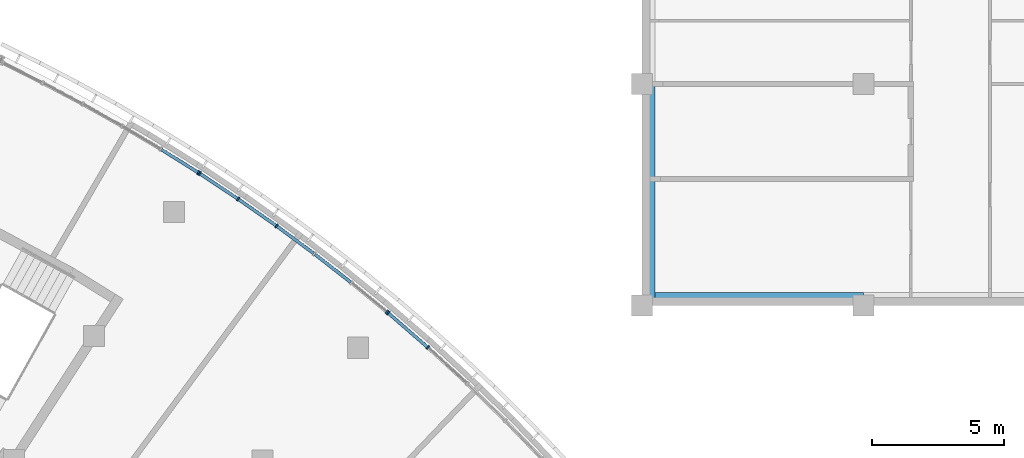
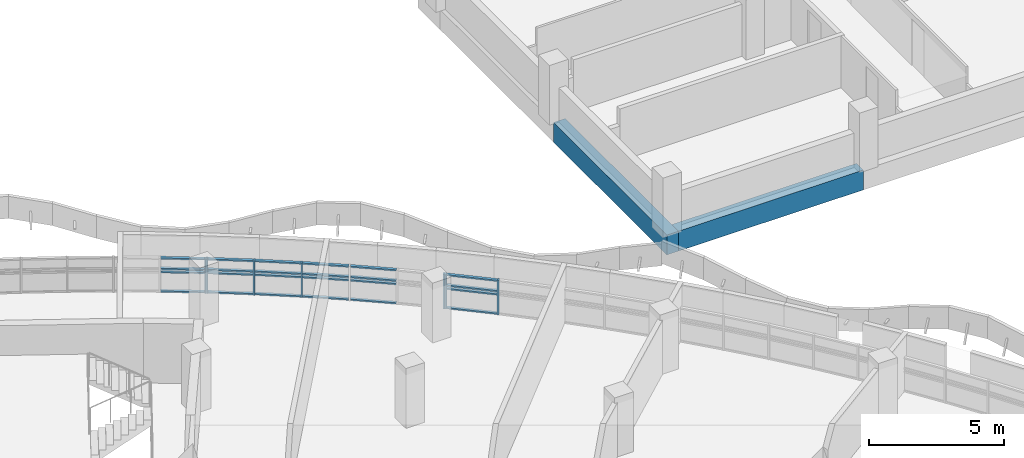
# One storey, part 23 of 89: 31 members, 2 beams, 3 elements without a shape of their own.
"""IFC4 building model written with IfcOpenShell, lengths in metres."""

from ifc_helpers import new_model, si_unit, direction, frame, origin, origin_2d, place, context, subcontext, project, spatial, rectangle, extrude, material, material_profile, profile_set, type_object, element, aggregate, save


model = new_model("IFC4")

# Units and contexts
model_context = context("Model", 3, precision=1e-05, world=origin(), true_north=direction((0.0, 1.0)))
body_context = subcontext(model_context, "Body", "Model", "MODEL_VIEW")
ifc_project = project(units=[si_unit("LENGTHUNIT", "METRE"), si_unit("AREAUNIT", "SQUARE_METRE"), si_unit("VOLUMEUNIT", "CUBIC_METRE"), si_unit("PLANEANGLEUNIT", "RADIAN"), si_unit("MASSUNIT", "GRAM", prefix="KILO")], contexts=[model_context])

# Site, building, storey
site_placement = place(None, origin())
site = spatial("IfcSite", under=ifc_project, at=site_placement, CompositionType="ELEMENT")
building_placement = place(site_placement, origin())
building = spatial("IfcBuilding", under=site, at=building_placement, Name="Bougainvillea Quay General Hospital", CompositionType="ELEMENT")
storey_placement = place(building_placement, frame((0.0, 0.0, 9.89990234375)))
storey = spatial("IfcBuildingStorey", under=building, at=storey_placement, Name="L01M", CompositionType="ELEMENT", Elevation=9.89990234375)

# Curtain wall, member
ifc_material_1 = material(Name="Aluminium curtain wall system, powder-coated glazed", Category="aluminium")
curtain_wall_type = type_object("IfcCurtainWallType", Name="Unitised curtain wall CW-2100", PredefinedType="NOTDEFINED", material=ifc_material_1)
curtain_wall_1_placement = place(storey_placement, origin())
curtain_wall_1 = element("IfcCurtainWall", 1, at=curtain_wall_1_placement, inside=storey, type_object=curtain_wall_type, Name="CW-E01 a10b0", PredefinedType="NOTDEFINED")
ifc_material_2 = material(Name="Aluminium mullion, powder-coated charcoal", Category="aluminium")
ifc_material_profile_1 = material_profile(ifc_material_2, rectangle(XDim=0.159912109375, YDim=0.06005859375, at=origin_2d()))
ifc_profile_set_1 = profile_set([ifc_material_profile_1], Name="Aluminium mullion, powder-coated charcoal")
member_type_1 = type_object("IfcMemberType", Name="Curtain wall mullion 160x60", PredefinedType="MULLION", material=ifc_profile_set_1)
member_1_placement = place(storey_placement, frame((146.97119140625, 80.6376953125, 0.0), z_axis=(0.0, 0.0, 1.0), x_axis=(0.531526385817, 0.847041735206, 0.0)))
member_1 = element("IfcMember", 2, at=member_1_placement, type_object=member_type_1, Name="CW-E01 mullion 6", PredefinedType="MULLION", context=body_context, shape_type="SweptSolid", body=[
    extrude(rectangle(XDim=0.159912109375, YDim=0.06005859375, at=origin_2d()), origin(), (0.0, 0.0, 1.0), 1.550048828125),
])

# Curtain wall, members
curtain_wall_2_placement = place(storey_placement, origin())
curtain_wall_2 = element("IfcCurtainWall", 3, at=curtain_wall_2_placement, inside=storey, type_object=curtain_wall_type, Name="CW-E02 a10b1", PredefinedType="NOTDEFINED")
member_2_placement = place(storey_placement, frame((147.021484375, 80.605224609375, 0.0), z_axis=(0.0, 0.0, 1.0), x_axis=(0.552565563465, 0.833469434396, 0.0)))
member_2 = element("IfcMember", 4, at=member_2_placement, type_object=member_type_1, Name="CW-E02 mullion 1", PredefinedType="MULLION", context=body_context, shape_type="SweptSolid", body=[
    extrude(rectangle(XDim=0.159912109375, YDim=0.06005859375, at=origin_2d()), origin(), (0.0, 0.0, 1.0), 1.550048828125),
])
member_3_placement = place(storey_placement, frame((148.48046875, 79.63818359375, 0.0), z_axis=(0.0, 0.0, 1.0), x_axis=(0.56315688844, 0.826349997884, 0.0)))
member_3 = element("IfcMember", 5, at=member_3_placement, type_object=member_type_1, Name="CW-E02 mullion 2", PredefinedType="MULLION", context=body_context, shape_type="SweptSolid", body=[
    extrude(rectangle(XDim=0.159912109375, YDim=0.06005859375, at=origin_2d()), origin(), (0.0, 0.0, 1.0), 1.550048828125),
])
member_4_placement = place(storey_placement, frame((149.9384765625, 78.616943359375, 0.0), z_axis=(0.0, 0.0, 1.0), x_axis=(0.584062676911, 0.811708561886, 0.0)))
member_4 = element("IfcMember", 6, at=member_4_placement, type_object=member_type_1, Name="CW-E02 mullion 3", PredefinedType="MULLION", context=body_context, shape_type="SweptSolid", body=[
    extrude(rectangle(XDim=0.159912109375, YDim=0.06005859375, at=origin_2d()), origin(), (0.0, 0.0, 1.0), 1.550048828125),
])
member_5_placement = place(storey_placement, frame((154.126953125, 75.353759765625, 0.0), z_axis=(0.0, 0.0, 1.0), x_axis=(0.634633403626, 0.772813329985, 0.0)))
member_5 = element("IfcMember", 7, at=member_5_placement, type_object=member_type_1, Name="CW-E02 mullion 6", PredefinedType="MULLION", context=body_context, shape_type="SweptSolid", body=[
    extrude(rectangle(XDim=0.159912109375, YDim=0.06005859375, at=origin_2d()), origin(), (0.0, 0.0, 1.0), 1.550048828125),
])

curtain_wall_3_placement = place(storey_placement, origin())
curtain_wall_3 = element("IfcCurtainWall", 8, at=curtain_wall_3_placement, inside=storey, type_object=curtain_wall_type, Name="CW-E03 a10b2", PredefinedType="NOTDEFINED")
member_6_placement = place(storey_placement, frame((154.1728515625, 75.31494140625, 0.0), z_axis=(0.0, 0.0, 1.0), x_axis=(0.655466875989, 0.755223923404, 0.0)))
member_6 = element("IfcMember", 9, at=member_6_placement, type_object=member_type_1, Name="CW-E03 mullion 1", PredefinedType="MULLION", context=body_context, shape_type="SweptSolid", body=[
    extrude(rectangle(XDim=0.159912109375, YDim=0.06005859375, at=origin_2d()), origin(), (0.0, 0.0, 1.0), 1.550048828125),
])
member_7_placement = place(storey_placement, frame((155.67822265625, 74.008544921875, 0.0), z_axis=(0.0, 0.0, 1.0), x_axis=(0.666351869577, 0.745637435964, 0.0)))
member_7 = element("IfcMember", 10, at=member_7_placement, type_object=member_type_1, Name="CW-E03 mullion 2", PredefinedType="MULLION", context=body_context, shape_type="SweptSolid", body=[
    extrude(rectangle(XDim=0.159912109375, YDim=0.06005859375, at=origin_2d()), origin(), (0.0, 0.0, 1.0), 1.550048828125),
])

# Member
ifc_material_3 = material(Name="Aluminium transom, powder-coated charcoal", Category="aluminium")
ifc_material_profile_2 = material_profile(ifc_material_3, rectangle(XDim=0.1201171875, YDim=0.06005859375, at=origin_2d()))
ifc_profile_set_2 = profile_set([ifc_material_profile_2], Name="Aluminium transom, powder-coated charcoal")
member_type_2 = type_object("IfcMemberType", Name="Curtain wall transom 120x60", PredefinedType="USERDEFINED", material=ifc_profile_set_2)
member_8_placement = place(storey_placement, frame((145.571533203125, 81.51611328125, 0.030029296875), z_axis=(0.847058580923, -0.531499539496, 0.0), x_axis=(0.531499539496, 0.847058580923, 0.0)))
member_8 = element("IfcMember", 11, at=member_8_placement, type_object=member_type_2, Name="CW-E01 transom 5.1", ObjectType="TRANSOM", PredefinedType="USERDEFINED", context=body_context, shape_type="SweptSolid", body=[
    extrude(rectangle(XDim=0.1201171875, YDim=0.06005859375, at=origin_2d()), origin(), (0.0, 0.0, 1.0), 1.622314453125),
])

member_9_placement = place(storey_placement, frame((145.571533203125, 81.51611328125, 0.900146484375), z_axis=(0.847058580923, -0.531499539496, 0.0), x_axis=(0.531499539496, 0.847058580923, 0.0)))
member_9 = element("IfcMember", 12, at=member_9_placement, type_object=member_type_2, Name="CW-E01 transom 5.2", ObjectType="TRANSOM", PredefinedType="USERDEFINED", context=body_context, shape_type="SweptSolid", body=[
    extrude(rectangle(XDim=0.1201171875, YDim=0.06005859375, at=origin_2d()), origin(), (0.0, 0.0, 1.0), 1.622314453125),
])

member_10_placement = place(storey_placement, frame((145.571533203125, 81.51611328125, 1.050048828125), z_axis=(0.847058580923, -0.531499539496, 0.0), x_axis=(0.531499539496, 0.847058580923, 0.0)))
member_10 = element("IfcMember", 13, at=member_10_placement, type_object=member_type_2, Name="CW-E01 transom 5.3", ObjectType="TRANSOM", PredefinedType="USERDEFINED", context=body_context, shape_type="SweptSolid", body=[
    extrude(rectangle(XDim=0.1201171875, YDim=0.06005859375, at=origin_2d()), origin(), (0.0, 0.0, 1.0), 1.622314453125),
])

member_11_placement = place(storey_placement, frame((145.571533203125, 81.51611328125, 1.52001953125), z_axis=(0.847058580923, -0.531499539496, 0.0), x_axis=(0.531499539496, 0.847058580923, 0.0)))
member_11 = element("IfcMember", 14, at=member_11_placement, type_object=member_type_2, Name="CW-E01 transom 5.4", ObjectType="TRANSOM", PredefinedType="USERDEFINED", context=body_context, shape_type="SweptSolid", body=[
    extrude(rectangle(XDim=0.1201171875, YDim=0.06005859375, at=origin_2d()), origin(), (0.0, 0.0, 1.0), 1.622314453125),
])

aggregate(curtain_wall_1, [member_1, member_8, member_9, member_10, member_11])

member_12_placement = place(storey_placement, frame((147.046630859375, 80.588623046875, 0.030029296875), z_axis=(0.833491999864, -0.55253152504, 0.0), x_axis=(0.55253152504, 0.833491999864, 0.0)))
member_12 = element("IfcMember", 15, at=member_12_placement, type_object=member_type_2, Name="CW-E02 transom 1.1", ObjectType="TRANSOM", PredefinedType="USERDEFINED", context=body_context, shape_type="SweptSolid", body=[
    extrude(rectangle(XDim=0.1201171875, YDim=0.06005859375, at=origin_2d()), origin(), (0.0, 0.0, 1.0), 1.690185546875),
])

member_13_placement = place(storey_placement, frame((147.046630859375, 80.588623046875, 0.900146484375), z_axis=(0.833491999864, -0.55253152504, 0.0), x_axis=(0.55253152504, 0.833491999864, 0.0)))
member_13 = element("IfcMember", 16, at=member_13_placement, type_object=member_type_2, Name="CW-E02 transom 1.2", ObjectType="TRANSOM", PredefinedType="USERDEFINED", context=body_context, shape_type="SweptSolid", body=[
    extrude(rectangle(XDim=0.1201171875, YDim=0.06005859375, at=origin_2d()), origin(), (0.0, 0.0, 1.0), 1.690185546875),
])

member_14_placement = place(storey_placement, frame((147.046630859375, 80.588623046875, 1.050048828125), z_axis=(0.833491999864, -0.55253152504, 0.0), x_axis=(0.55253152504, 0.833491999864, 0.0)))
member_14 = element("IfcMember", 17, at=member_14_placement, type_object=member_type_2, Name="CW-E02 transom 1.3", ObjectType="TRANSOM", PredefinedType="USERDEFINED", context=body_context, shape_type="SweptSolid", body=[
    extrude(rectangle(XDim=0.1201171875, YDim=0.06005859375, at=origin_2d()), origin(), (0.0, 0.0, 1.0), 1.690185546875),
])

member_15_placement = place(storey_placement, frame((147.046630859375, 80.588623046875, 1.52001953125), z_axis=(0.833491999864, -0.55253152504, 0.0), x_axis=(0.55253152504, 0.833491999864, 0.0)))
member_15 = element("IfcMember", 18, at=member_15_placement, type_object=member_type_2, Name="CW-E02 transom 1.4", ObjectType="TRANSOM", PredefinedType="USERDEFINED", context=body_context, shape_type="SweptSolid", body=[
    extrude(rectangle(XDim=0.1201171875, YDim=0.06005859375, at=origin_2d()), origin(), (0.0, 0.0, 1.0), 1.690185546875),
])

member_16_placement = place(storey_placement, frame((148.5048828125, 79.620849609375, 0.030029296875), z_axis=(0.819125233044, -0.573614724872, 0.0), x_axis=(0.573614724872, 0.819125233044, 0.0)))
member_16 = element("IfcMember", 19, at=member_16_placement, type_object=member_type_2, Name="CW-E02 transom 2.1", ObjectType="TRANSOM", PredefinedType="USERDEFINED", context=body_context, shape_type="SweptSolid", body=[
    extrude(rectangle(XDim=0.1201171875, YDim=0.06005859375, at=origin_2d()), origin(), (0.0, 0.0, 1.0), 1.720458984375),
])

member_17_placement = place(storey_placement, frame((148.5048828125, 79.620849609375, 0.900146484375), z_axis=(0.819125233044, -0.573614724872, 0.0), x_axis=(0.573614724872, 0.819125233044, 0.0)))
member_17 = element("IfcMember", 20, at=member_17_placement, type_object=member_type_2, Name="CW-E02 transom 2.2", ObjectType="TRANSOM", PredefinedType="USERDEFINED", context=body_context, shape_type="SweptSolid", body=[
    extrude(rectangle(XDim=0.1201171875, YDim=0.06005859375, at=origin_2d()), origin(), (0.0, 0.0, 1.0), 1.720458984375),
])

member_18_placement = place(storey_placement, frame((148.5048828125, 79.620849609375, 1.050048828125), z_axis=(0.819125233044, -0.573614724872, 0.0), x_axis=(0.573614724872, 0.819125233044, 0.0)))
member_18 = element("IfcMember", 21, at=member_18_placement, type_object=member_type_2, Name="CW-E02 transom 2.3", ObjectType="TRANSOM", PredefinedType="USERDEFINED", context=body_context, shape_type="SweptSolid", body=[
    extrude(rectangle(XDim=0.1201171875, YDim=0.06005859375, at=origin_2d()), origin(), (0.0, 0.0, 1.0), 1.720458984375),
])

member_19_placement = place(storey_placement, frame((148.5048828125, 79.620849609375, 1.52001953125), z_axis=(0.819125233044, -0.573614724872, 0.0), x_axis=(0.573614724872, 0.819125233044, 0.0)))
member_19 = element("IfcMember", 22, at=member_19_placement, type_object=member_type_2, Name="CW-E02 transom 2.4", ObjectType="TRANSOM", PredefinedType="USERDEFINED", context=body_context, shape_type="SweptSolid", body=[
    extrude(rectangle(XDim=0.1201171875, YDim=0.06005859375, at=origin_2d()), origin(), (0.0, 0.0, 1.0), 1.720458984375),
])

member_20_placement = place(storey_placement, frame((149.962646484375, 78.59912109375, 0.030029296875), z_axis=(0.804170242173, -0.594399042397, 0.0), x_axis=(0.594399042397, 0.804170242173, 0.0)))
member_20 = element("IfcMember", 23, at=member_20_placement, type_object=member_type_2, Name="CW-E02 transom 3.1", ObjectType="TRANSOM", PredefinedType="USERDEFINED", context=body_context, shape_type="SweptSolid", body=[
    extrude(rectangle(XDim=0.1201171875, YDim=0.06005859375, at=origin_2d()), origin(), (0.0, 0.0, 1.0), 1.72021484375),
])

member_21_placement = place(storey_placement, frame((149.962646484375, 78.59912109375, 0.900146484375), z_axis=(0.804170242173, -0.594399042397, 0.0), x_axis=(0.594399042397, 0.804170242173, 0.0)))
member_21 = element("IfcMember", 24, at=member_21_placement, type_object=member_type_2, Name="CW-E02 transom 3.2", ObjectType="TRANSOM", PredefinedType="USERDEFINED", context=body_context, shape_type="SweptSolid", body=[
    extrude(rectangle(XDim=0.1201171875, YDim=0.06005859375, at=origin_2d()), origin(), (0.0, 0.0, 1.0), 1.72021484375),
])

member_22_placement = place(storey_placement, frame((149.962646484375, 78.59912109375, 1.050048828125), z_axis=(0.804170242173, -0.594399042397, 0.0), x_axis=(0.594399042397, 0.804170242173, 0.0)))
member_22 = element("IfcMember", 25, at=member_22_placement, type_object=member_type_2, Name="CW-E02 transom 3.3", ObjectType="TRANSOM", PredefinedType="USERDEFINED", context=body_context, shape_type="SweptSolid", body=[
    extrude(rectangle(XDim=0.1201171875, YDim=0.06005859375, at=origin_2d()), origin(), (0.0, 0.0, 1.0), 1.72021484375),
])

member_23_placement = place(storey_placement, frame((149.962646484375, 78.59912109375, 1.52001953125), z_axis=(0.804170242173, -0.594399042397, 0.0), x_axis=(0.594399042397, 0.804170242173, 0.0)))
member_23 = element("IfcMember", 26, at=member_23_placement, type_object=member_type_2, Name="CW-E02 transom 3.4", ObjectType="TRANSOM", PredefinedType="USERDEFINED", context=body_context, shape_type="SweptSolid", body=[
    extrude(rectangle(XDim=0.1201171875, YDim=0.06005859375, at=origin_2d()), origin(), (0.0, 0.0, 1.0), 1.72021484375),
])

member_24_placement = place(storey_placement, frame((151.393798828125, 77.540283203125, 0.030029296875), z_axis=(0.788794034854, -0.614657604345, 0.0), x_axis=(0.614657604345, 0.788794034854, 0.0)))
member_24 = element("IfcMember", 27, at=member_24_placement, type_object=member_type_2, Name="CW-E02 transom 4.1", ObjectType="TRANSOM", PredefinedType="USERDEFINED", context=body_context, shape_type="SweptSolid", body=[
    extrude(rectangle(XDim=0.1201171875, YDim=0.06005859375, at=origin_2d()), origin(), (0.0, 0.0, 1.0), 1.72021484375),
])

member_25_placement = place(storey_placement, frame((151.393798828125, 77.540283203125, 0.900146484375), z_axis=(0.788794034854, -0.614657604345, 0.0), x_axis=(0.614657604345, 0.788794034854, 0.0)))
member_25 = element("IfcMember", 28, at=member_25_placement, type_object=member_type_2, Name="CW-E02 transom 4.2", ObjectType="TRANSOM", PredefinedType="USERDEFINED", context=body_context, shape_type="SweptSolid", body=[
    extrude(rectangle(XDim=0.1201171875, YDim=0.06005859375, at=origin_2d()), origin(), (0.0, 0.0, 1.0), 1.72021484375),
])

member_26_placement = place(storey_placement, frame((151.393798828125, 77.540283203125, 1.050048828125), z_axis=(0.788794034854, -0.614657604345, 0.0), x_axis=(0.614657604345, 0.788794034854, 0.0)))
member_26 = element("IfcMember", 29, at=member_26_placement, type_object=member_type_2, Name="CW-E02 transom 4.3", ObjectType="TRANSOM", PredefinedType="USERDEFINED", context=body_context, shape_type="SweptSolid", body=[
    extrude(rectangle(XDim=0.1201171875, YDim=0.06005859375, at=origin_2d()), origin(), (0.0, 0.0, 1.0), 1.72021484375),
])

member_27_placement = place(storey_placement, frame((151.393798828125, 77.540283203125, 1.52001953125), z_axis=(0.788794034854, -0.614657604345, 0.0), x_axis=(0.614657604345, 0.788794034854, 0.0)))
member_27 = element("IfcMember", 30, at=member_27_placement, type_object=member_type_2, Name="CW-E02 transom 4.4", ObjectType="TRANSOM", PredefinedType="USERDEFINED", context=body_context, shape_type="SweptSolid", body=[
    extrude(rectangle(XDim=0.1201171875, YDim=0.06005859375, at=origin_2d()), origin(), (0.0, 0.0, 1.0), 1.72021484375),
])

aggregate(curtain_wall_2, [member_2, member_3, member_4, member_5, member_12, member_13, member_14, member_15, member_16, member_17, member_18, member_19, member_20, member_21, member_22, member_23, member_24, member_25, member_26, member_27])

member_28_placement = place(storey_placement, frame((154.195556640625, 75.29541015625, 0.030029296875), z_axis=(0.755168009572, -0.655531293928, 0.0), x_axis=(0.655531293928, 0.755168009572, 0.0)))
member_28 = element("IfcMember", 31, at=member_28_placement, type_object=member_type_2, Name="CW-E03 transom 1.1", ObjectType="TRANSOM", PredefinedType="USERDEFINED", context=body_context, shape_type="SweptSolid", body=[
    extrude(rectangle(XDim=0.1201171875, YDim=0.06005859375, at=origin_2d()), origin(), (0.0, 0.0, 1.0), 1.933349609375),
])

member_29_placement = place(storey_placement, frame((154.195556640625, 75.29541015625, 0.900146484375), z_axis=(0.755168009572, -0.655531293928, 0.0), x_axis=(0.655531293928, 0.755168009572, 0.0)))
member_29 = element("IfcMember", 32, at=member_29_placement, type_object=member_type_2, Name="CW-E03 transom 1.2", ObjectType="TRANSOM", PredefinedType="USERDEFINED", context=body_context, shape_type="SweptSolid", body=[
    extrude(rectangle(XDim=0.1201171875, YDim=0.06005859375, at=origin_2d()), origin(), (0.0, 0.0, 1.0), 1.933349609375),
])

member_30_placement = place(storey_placement, frame((154.195556640625, 75.29541015625, 1.050048828125), z_axis=(0.755168009572, -0.655531293928, 0.0), x_axis=(0.655531293928, 0.755168009572, 0.0)))
member_30 = element("IfcMember", 33, at=member_30_placement, type_object=member_type_2, Name="CW-E03 transom 1.3", ObjectType="TRANSOM", PredefinedType="USERDEFINED", context=body_context, shape_type="SweptSolid", body=[
    extrude(rectangle(XDim=0.1201171875, YDim=0.06005859375, at=origin_2d()), origin(), (0.0, 0.0, 1.0), 1.933349609375),
])

member_31_placement = place(storey_placement, frame((154.195556640625, 75.29541015625, 1.52001953125), z_axis=(0.755168009572, -0.655531293928, 0.0), x_axis=(0.655531293928, 0.755168009572, 0.0)))
member_31 = element("IfcMember", 34, at=member_31_placement, type_object=member_type_2, Name="CW-E03 transom 1.4", ObjectType="TRANSOM", PredefinedType="USERDEFINED", context=body_context, shape_type="SweptSolid", body=[
    extrude(rectangle(XDim=0.1201171875, YDim=0.06005859375, at=origin_2d()), origin(), (0.0, 0.0, 1.0), 1.933349609375),
])

aggregate(curtain_wall_3, [member_6, member_7, member_28, member_29, member_30, member_31])

# Beams
ifc_material_4 = material(Name="Concrete C40", Category="concrete")
ifc_material_profile_3 = material_profile(ifc_material_4, rectangle(XDim=0.5, YDim=0.89990234375, at=origin_2d()))
ifc_profile_set_3 = profile_set([ifc_material_profile_3], Name="Concrete C40")
beam_type = type_object("IfcBeamType", Name="RC BEAM 500x900 C40", PredefinedType="BEAM", material=ifc_profile_set_3)
for number, where, z_axis, x_axis, name in (
    (35, (164.050048828125, 84.0, -0.699951171875), (0.0, -1.0, 0.0), (1.0, 0.0, 0.0), "Edge beam L01M"),
    (36, (163.800048828125, 75.85009765625, -0.699951171875), (1.0, 0.0, 0.0), (0.0, 1.0, 0.0), "Edge beam L01M"),
):
    element("IfcBeam", number, at=place(storey_placement, frame(where, z_axis=z_axis, x_axis=x_axis)), inside=storey, type_object=beam_type, Name=name, PredefinedType="BEAM", context=body_context, shape_type="SweptSolid", body=[
        extrude(rectangle(XDim=0.5, YDim=0.89990234375, at=origin_2d()), origin(), (0.0, 0.0, 1.0), 8.39990234375),
    ])

save(model, "model.ifc")
